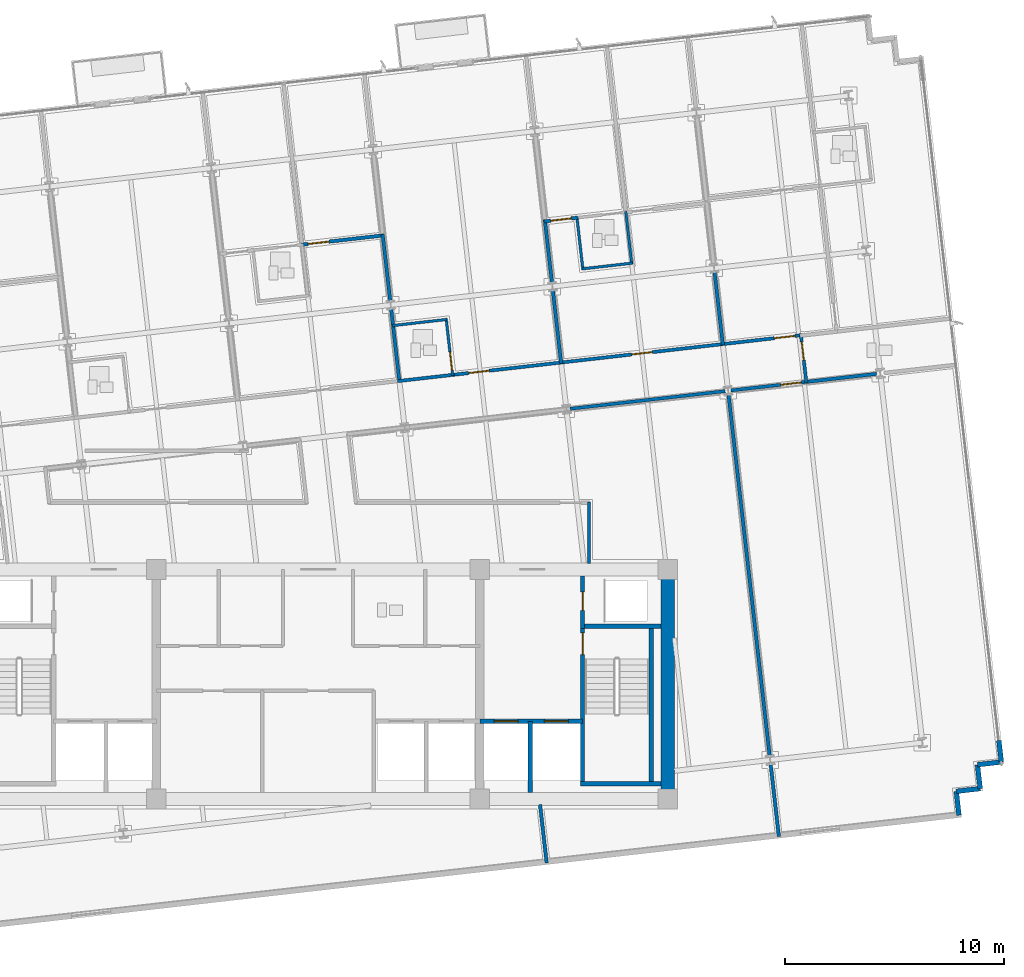
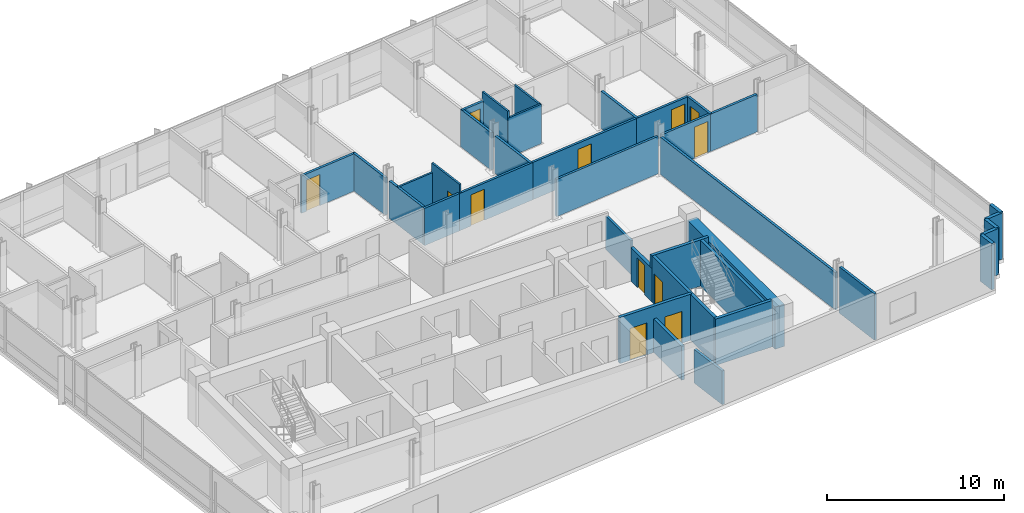
# One storey, part 10 of 17: 37 walls, 12 doors, 12 openings.
"""IFC4 building model written with IfcOpenShell, lengths in metres."""

import ifcopenshell
import ifcopenshell.guid

model = None  # the IFC model being written
_history = None  # IfcOwnerHistory: only IFC2X3 demands one
_inside = {}  # id of a spatial element -> (the spatial element, [elements in it])
_under = {}  # id of a project, library or spatial element -> (it, [spatial elements below it])
_declared = {}  # id of a project -> (the project, [libraries it declares])
_typed = {}  # id of a type object -> (the type object, [elements of that type])
_made_of = {}  # id of a material, layer set ... -> (it, [elements and type objects made of it])


def new_model(schema):
    """Start an empty IFC model of exactly this schema.

    Asked for "IFC4X3", IfcOpenShell would pick the latest addendum, in which some entities
    have other attributes; the version numbers below select the first issue.
    IFC2X3 requires an IfcOwnerHistory on every rooted entity: one is made here for all.
    """
    global model, _history
    if schema == "IFC4X3":
        model = ifcopenshell.file(schema_version=(4, 3, 0, 0))
    else:
        model = ifcopenshell.file(schema=schema)
    _inside.clear()
    _under.clear()
    _declared.clear()
    _typed.clear()
    _made_of.clear()
    _history = None
    if model.schema == "IFC2X3":
        org = make("IfcOrganization", Name="unknown")
        user = make(
            "IfcPersonAndOrganization",
            ThePerson=make("IfcPerson", FamilyName="unknown"),
            TheOrganization=org,
        )
        app = make(
            "IfcApplication",
            ApplicationDeveloper=org,
            Version="unknown",
            ApplicationFullName="unknown",
            ApplicationIdentifier="unknown",
        )
        _history = make(
            "IfcOwnerHistory",
            OwningUser=user,
            OwningApplication=app,
            ChangeAction="ADDED",
            CreationDate=0,
        )
    return model


def make(cls, **values):
    """One entity of the class cls with the attributes given. An attribute that is None is left unset."""
    return model.create_entity(
        cls, **{name: value for name, value in values.items() if value is not None}
    )


def rooted(cls, **values):
    """An entity with a GlobalId (a new one), such as an element, a storey or a relation."""
    return make(cls, GlobalId=ifcopenshell.guid.new(), OwnerHistory=_history, **values)


def si_unit(unit_type, name, prefix=None):
    """IfcSIUnit, for example si_unit("LENGTHUNIT", "METRE", prefix="MILLI")."""
    return make("IfcSIUnit", UnitType=unit_type, Prefix=prefix, Name=name)


def assignment(units):
    """IfcUnitAssignment: the units of a project."""
    return None if units is None else make("IfcUnitAssignment", Units=units)


def point(xyz):
    """IfcCartesianPoint."""
    return None if xyz is None else make("IfcCartesianPoint", Coordinates=xyz)


def direction(xyz):
    """IfcDirection."""
    return None if xyz is None else make("IfcDirection", DirectionRatios=xyz)


def frame(location, z_axis=None, x_axis=None):
    """IfcAxis2Placement3D, a coordinate frame: its origin and axes. An axis left out is left unset."""
    return make(
        "IfcAxis2Placement3D",
        Location=point(location),
        Axis=direction(z_axis),
        RefDirection=direction(x_axis),
    )


def frame_2d(location, x_axis=None):
    """IfcAxis2Placement2D, a coordinate frame in the plane: its origin and x axis."""
    return make(
        "IfcAxis2Placement2D", Location=point(location), RefDirection=direction(x_axis)
    )


def origin():
    """The frame at (0, 0, 0) with its axes left unset."""
    return frame((0.0, 0.0, 0.0))


def place(relative_to, where):
    """IfcLocalPlacement: puts the frame where relative to a parent placement (None: the world)."""
    return make(
        "IfcLocalPlacement", PlacementRelTo=relative_to, RelativePlacement=where
    )


def context(
    kind, dimensions, precision=None, world=None, true_north=None, identifier=None
):
    """IfcGeometricRepresentationContext, for example the 3D "Model" context."""
    return make(
        "IfcGeometricRepresentationContext",
        ContextIdentifier=identifier,
        ContextType=kind,
        CoordinateSpaceDimension=dimensions,
        Precision=precision,
        WorldCoordinateSystem=world,
        TrueNorth=true_north,
    )


def subcontext(parent, identifier, kind, view, scale=None):
    """IfcGeometricRepresentationSubContext, for example "Body" below "Model"."""
    return make(
        "IfcGeometricRepresentationSubContext",
        ContextIdentifier=identifier,
        ContextType=kind,
        ParentContext=parent,
        TargetScale=scale,
        TargetView=view,
    )


def project(units=None, contexts=None):
    """IfcProject with its units and contexts."""
    return rooted(
        "IfcProject",
        Name="project",
        RepresentationContexts=contexts,
        UnitsInContext=assignment(units),
    )


def spatial(cls, under=None, at=None, **own):
    """A site, building, storey or space (cls), placed at a placement, below another one or the project."""
    s = rooted(cls, ObjectPlacement=at, **own)
    if under is not None:
        _under.setdefault(under.id(), (under, []))[1].append(s)
    return s


def profile(cls, at=None, kind="AREA", **sizes):
    """A parametric profile (cls). Its sizes go by their IFC names, for example OverallWidth=200.0."""
    return make(cls, ProfileType=kind, Position=at, **sizes)


def rectangle(**sizes):
    """IfcRectangleProfileDef."""
    return profile("IfcRectangleProfileDef", **sizes)


def extrude(swept, where, along, depth):
    """IfcExtrudedAreaSolid: the profile swept, set in the frame where, extruded along a direction by depth."""
    return make(
        "IfcExtrudedAreaSolid",
        SweptArea=swept,
        Position=where,
        ExtrudedDirection=direction(along),
        Depth=depth,
    )


def shape(context_of_items, identifier, shape_type, items):
    """IfcShapeRepresentation: the items that make up one representation, for example the "Body"."""
    return make(
        "IfcShapeRepresentation",
        ContextOfItems=context_of_items,
        RepresentationIdentifier=identifier,
        RepresentationType=shape_type,
        Items=items,
    )


def material(Name=None, Category=None):
    """IfcMaterial."""
    return make("IfcMaterial", Name=Name, Category=Category)


def layer(
    of_material, thickness, ventilated=None, Name=None, Category=None, Priority=None
):
    """IfcMaterialLayer: one layer of a wall or slab, of a material (None: an air gap)."""
    return make(
        "IfcMaterialLayer",
        Material=of_material,
        LayerThickness=thickness,
        IsVentilated=ventilated,
        Name=Name,
        Category=Category,
        Priority=Priority,
    )


def layer_set(layers, Name=None):
    """IfcMaterialLayerSet."""
    return make("IfcMaterialLayerSet", MaterialLayers=layers, LayerSetName=Name)


def made_of(thing, what):
    """Note that an element or type object is made of a material, layer set ...; save() writes the relation."""
    if what is not None:
        _made_of.setdefault(what.id(), (what, []))[1].append(thing)
    return thing


def type_object(cls, material=None, **own):
    """A type object (cls), such as IfcWallType, which elements share."""
    return made_of(rooted(cls, **own), material)


def element(
    cls,
    number,
    at=None,
    inside=None,
    cuts=None,
    type_object=None,
    material=None,
    context=None,
    identifier="Body",
    shape_type=None,
    held_by="IfcProductDefinitionShape",
    body=None,
    shapes=None,
    **own,
):
    """One element of the class cls, such as IfcWall. Its Tag is "e" and its number.

    at: its placement. inside: the storey or other place that contains it. cuts: it is an
    opening in that element (IfcRelVoidsElement). A single representation is given by context,
    identifier, shape_type and body (its items); several are given by shapes. held_by: the class
    of the entity that holds the representations. save() writes the other relations.
    """
    e = rooted(cls, Tag="e%d" % number, ObjectPlacement=at, **own)
    if body is not None:
        shapes = [shape(context, identifier, shape_type, body)]
    if shapes is not None:
        e.Representation = make(held_by, Representations=shapes)
    if inside is not None:
        _inside.setdefault(inside.id(), (inside, []))[1].append(e)
    if cuts is not None:
        rooted(
            "IfcRelVoidsElement", RelatingBuildingElement=cuts, RelatedOpeningElement=e
        )
    if type_object is not None:
        _typed.setdefault(type_object.id(), (type_object, []))[1].append(e)
    return made_of(e, material)


def fill(opening, filler):
    """IfcRelFillsElement: the door or window that sits in an opening."""
    return rooted(
        "IfcRelFillsElement",
        RelatingOpeningElement=opening,
        RelatedBuildingElement=filler,
    )


def aggregate(whole, parts):
    """IfcRelAggregates: a whole, such as a stair, and the parts it consists of."""
    return rooted("IfcRelAggregates", RelatingObject=whole, RelatedObjects=parts)


def save(model, path):
    """Write the relations noted so far, then the file.

    IfcRelAggregates (storeys below a building ...), IfcRelContainedInSpatialStructure (elements
    in a storey), IfcRelDefinesByType, IfcRelAssociatesMaterial and IfcRelDeclares: one each for
    every whole, place, type object, material and project.
    """
    for whole, parts in _under.values():
        aggregate(whole, parts)
    for where, things in _inside.values():
        rooted(
            "IfcRelContainedInSpatialStructure",
            RelatedElements=things,
            RelatingStructure=where,
        )
    for kind, things in _typed.values():
        rooted("IfcRelDefinesByType", RelatedObjects=things, RelatingType=kind)
    for what, things in _made_of.values():
        rooted("IfcRelAssociatesMaterial", RelatedObjects=things, RelatingMaterial=what)
    for by, libraries in _declared.values():
        rooted("IfcRelDeclares", RelatingContext=by, RelatedDefinitions=libraries)
    model.write(path)


model = new_model("IFC4")

# Units and contexts
model_context = context("Model", 3, precision=1e-05, world=origin(), true_north=direction((0.0, 1.0)))
body_context = subcontext(model_context, "Body", "Model", "MODEL_VIEW")
ifc_project = project(units=[si_unit("LENGTHUNIT", "METRE"), si_unit("AREAUNIT", "SQUARE_METRE"), si_unit("VOLUMEUNIT", "CUBIC_METRE"), si_unit("PLANEANGLEUNIT", "RADIAN"), si_unit("MASSUNIT", "GRAM", prefix="KILO")], contexts=[model_context])

# Site, building, storey
site_placement = place(None, origin())
site = spatial("IfcSite", under=ifc_project, at=site_placement, CompositionType="ELEMENT")
building_placement = place(site_placement, origin())
building = spatial("IfcBuilding", under=site, at=building_placement, Name="Solmavex Isthmus Hotel", CompositionType="ELEMENT")
storey_placement = place(building_placement, frame((0.0, 0.0, 198.60009765625)))
storey = spatial("IfcBuildingStorey", under=building, at=storey_placement, Name="L53", CompositionType="ELEMENT", Elevation=198.60009765625)

# Walls
ifc_material_1 = material(Name="Precast Concrete C40/50", Category="concrete")
ifc_layer_1 = layer(ifc_material_1, 0.25)
ifc_layer_set_1 = layer_set([ifc_layer_1], Name="Precast Concrete C40/50")
wall_type_1 = type_object("IfcWallType", Name="EW-TWR-250", PredefinedType="STANDARD", material=ifc_layer_set_1)
wall_1_placement = place(storey_placement, frame((31.1474609375, -10.328125, 0.0), z_axis=(0.0, 0.0, 1.0), x_axis=(0.113191877531, -0.993573147212, 0.0)))
element("IfcWall", 1, at=wall_1_placement, inside=storey, type_object=wall_type_1, Name="Serrated Corner Facade Panel L53-21", PredefinedType="STANDARD", context=body_context, shape_type="SweptSolid", body=[
    extrude(rectangle(XDim=0.989990234375, YDim=0.219970703125, at=frame_2d((0.4951171875, 0.0))), origin(), (0.0, 0.0, 1.0), 3.18994140625),
])
wall_2_placement = place(storey_placement, frame((31.259521484375, -11.311767578125, 0.0), z_axis=(0.0, 0.0, 1.0), x_axis=(-0.99357409499, -0.113183557839, 0.0)))
element("IfcWall", 2, at=wall_2_placement, inside=storey, type_object=wall_type_1, Name="Serrated Corner Facade Panel L53-22", PredefinedType="STANDARD", context=body_context, shape_type="SweptSolid", body=[
    extrude(rectangle(XDim=1.10009765625, YDim=0.219970703125, at=frame_2d((0.550048828125, 0.0))), origin(), (0.0, 0.0, 1.0), 3.18994140625),
])
wall_3_placement = place(storey_placement, frame((30.16650390625, -11.436279296875, 0.0), z_axis=(0.0, 0.0, 1.0), x_axis=(0.113427644885, -0.993546259303, 0.0)))
element("IfcWall", 3, at=wall_3_placement, inside=storey, type_object=wall_type_1, Name="Serrated Corner Facade Panel L53-23", PredefinedType="STANDARD", context=body_context, shape_type="SweptSolid", body=[
    extrude(rectangle(XDim=1.099853515625, YDim=0.219970703125, at=frame_2d((0.5498046875, 0.0))), origin(), (0.0, 0.0, 1.0), 3.18994140625),
])
for number, where, z_axis, x_axis, name in (
    (4, (30.291259765625, -12.529052734375, 0.0), (0.0, 0.0, 1.0), (-0.99357409499, -0.113183557839, 0.0), "Serrated Corner Facade Panel L53-24"),
    (5, (29.1982421875, -12.653564453125, 0.0), (0.0, 0.0, 1.0), (0.113183557839, -0.99357409499, 0.0), "Serrated Corner Facade Panel L53-25"),
):
    element("IfcWall", number, at=place(storey_placement, frame(where, z_axis=z_axis, x_axis=x_axis)), inside=storey, type_object=wall_type_1, Name=name, PredefinedType="STANDARD", context=body_context, shape_type="SweptSolid", body=[
        extrude(rectangle(XDim=1.10009765625, YDim=0.219970703125, at=frame_2d((0.550048828125, 0.0))), origin(), (0.0, 0.0, 1.0), 3.18994140625),
    ])

# Wall, opening, door
ifc_material_2 = material(Name="Gypsum plasterboard lining", Category="gypsum")
ifc_layer_2 = layer(ifc_material_2, 0.159912109375)
ifc_layer_set_2 = layer_set([ifc_layer_2], Name="Gypsum plasterboard lining")
wall_type_2 = type_object("IfcWallType", Name="IW-COMP-160", PredefinedType="PARTITIONING", material=ifc_layer_set_2)
wall_4_placement = place(storey_placement, frame((-0.778076171875, 12.3515625, 0.0), z_axis=(0.0, 0.0, 1.0), x_axis=(0.993567388358, 0.113242416041, 0.0)))
wall_4 = element("IfcWall", 6, at=wall_4_placement, inside=storey, type_object=wall_type_2, Name="Interior Partition Wall W-L53-P044", PredefinedType="PARTITIONING", context=body_context, shape_type="SweptSolid", body=[
    extrude(rectangle(XDim=3.802978515625, YDim=0.159912109375, at=frame_2d((1.9013671875, 0.0))), origin(), (0.0, 0.0, 1.0), 2.572265625),
])
opening_1_placement = place(wall_4_placement, frame((0.331787109375, 0.0, 0.0)))
opening_1 = element("IfcOpeningElement", 7, at=opening_1_placement, cuts=wall_4, Name="Opening ID-C095", PredefinedType="OPENING", context=body_context, shape_type="SweptSolid", body=[
    extrude(rectangle(XDim=0.949951171875, YDim=2.14990234375, at=frame_2d((0.47509765625, 1.074951171875))), frame((0.0, 0.08984375, 0.0), z_axis=(0.0, -1.0, 0.0), x_axis=(1.0, 0.0, 0.0)), (0.0, 0.0, 1.0), 0.179931640625),
])
ifc_material_3 = material(Name="Hardwood timber", Category="wood")
door_type_1 = type_object("IfcDoorType", Name="IDR-FD60-0950", OperationType="NOTDEFINED", PredefinedType="DOOR", material=ifc_material_3)
door_1_placement = place(opening_1_placement, origin())
door_1 = element("IfcDoor", 8, at=door_1_placement, inside=storey, type_object=door_type_1, Name="Diplomatic Hospitality Suite Sitting Lounge Door L53-09", OperationType="SINGLE_SWING_LEFT", OverallHeight=2.14990234375, OverallWidth=0.949951171875, PredefinedType="DOOR", context=body_context, shape_type="SweptSolid", body=[
    extrude(rectangle(XDim=0.949951171875, YDim=2.14990234375, at=frame_2d((0.47509765625, 1.074951171875))), frame((0.0, 0.02490234375, 0.0), z_axis=(0.0, -1.0, 0.0), x_axis=(1.0, 0.0, 0.0)), (0.0, 0.0, 1.0), 0.050048828125),
])
fill(opening_1, door_1)

# Walls
wall_5_placement = place(storey_placement, frame((2.9560546875, 12.8173828125, 0.0), z_axis=(0.0, 0.0, 1.0), x_axis=(0.113238680134, -0.993567814153, 0.0)))
element("IfcWall", 9, at=wall_5_placement, inside=storey, type_object=wall_type_2, Name="Interior Partition Wall W-L53-P048", PredefinedType="PARTITIONING", context=body_context, shape_type="SweptSolid", body=[
    extrude(rectangle(XDim=3.063720703125, YDim=0.159912109375, at=frame_2d((1.53173828125, 0.0))), origin(), (0.0, 0.0, 1.0), 2.572265625),
])
wall_6_placement = place(storey_placement, frame((3.3427734375, 9.4228515625, 0.0), z_axis=(0.0, 0.0, 1.0), x_axis=(0.113229088195, -0.993568907317, 0.0)))
element("IfcWall", 10, at=wall_6_placement, inside=storey, type_object=wall_type_2, Name="Interior Partition Wall W-L53-P049", PredefinedType="PARTITIONING", context=body_context, shape_type="SweptSolid", body=[
    extrude(rectangle(XDim=3.361572265625, YDim=0.159912109375, at=frame_2d((1.6806640625, 0.0))), origin(), (0.0, 0.0, 1.0), 2.572265625),
])
wall_7_placement = place(storey_placement, frame((10.3720703125, 13.503173828125, 0.0), z_axis=(0.0, 0.0, 1.0), x_axis=(0.113271679876, -0.993564052559, 0.0)))
element("IfcWall", 11, at=wall_7_placement, inside=storey, type_object=wall_type_2, Name="Interior Partition Wall W-L53-P056", PredefinedType="PARTITIONING", context=body_context, shape_type="SweptSolid", body=[
    extrude(rectangle(XDim=2.905517578125, YDim=0.159912109375, at=frame_2d((1.45263671875, 0.0))), origin(), (0.0, 0.0, 1.0), 2.572265625),
])
wall_8_placement = place(storey_placement, frame((10.740966796875, 10.265869140625, 0.0), z_axis=(0.0, 0.0, 1.0), x_axis=(0.113220917918, -0.993569838384, 0.0)))
element("IfcWall", 12, at=wall_8_placement, inside=storey, type_object=wall_type_2, Name="Interior Partition Wall W-L53-P057", PredefinedType="PARTITIONING", context=body_context, shape_type="SweptSolid", body=[
    extrude(rectangle(XDim=3.36181640625, YDim=0.159912109375, at=frame_2d((1.680908203125, 0.0))), origin(), (0.0, 0.0, 1.0), 2.572265625),
])

# Wall, opening, door
wall_9_placement = place(storey_placement, frame((10.341796875, 13.417236328125, 0.0), z_axis=(0.0, 0.0, 1.0), x_axis=(0.993573147212, 0.113191877531, 0.0)))
wall_9 = element("IfcWall", 13, at=wall_9_placement, inside=storey, type_object=wall_type_2, Name="Interior Partition Wall W-L53-P060", PredefinedType="PARTITIONING", context=body_context, shape_type="SweptSolid", body=[
    extrude(rectangle(XDim=1.552978515625, YDim=0.159912109375, at=frame_2d((0.7763671875, 0.0))), origin(), (0.0, 0.0, 1.0), 2.572265625),
])
opening_2_placement = place(wall_9_placement, frame((0.301513671875, 0.0, 0.0)))
opening_2 = element("IfcOpeningElement", 14, at=opening_2_placement, cuts=wall_9, Name="Opening ID-C095", PredefinedType="OPENING", context=body_context, shape_type="SweptSolid", body=[
    extrude(rectangle(XDim=0.949951171875, YDim=2.14990234375, at=frame_2d((0.47509765625, 1.074951171875))), frame((0.0, 0.08984375, 0.0), z_axis=(0.0, -1.0, 0.0), x_axis=(1.0, 0.0, 0.0)), (0.0, 0.0, 1.0), 0.179931640625),
])
door_2_placement = place(opening_2_placement, origin())
door_2 = element("IfcDoor", 15, at=door_2_placement, inside=storey, type_object=door_type_1, Name="Premier Suite Master Bedroom Door L53-14", OperationType="SINGLE_SWING_RIGHT", OverallHeight=2.14990234375, OverallWidth=0.949951171875, PredefinedType="DOOR", context=body_context, shape_type="SweptSolid", body=[
    extrude(rectangle(XDim=0.949951171875, YDim=2.14990234375, at=frame_2d((0.47509765625, 1.074951171875))), frame((0.0, 0.02490234375, 0.0), z_axis=(0.0, -1.0, 0.0), x_axis=(1.0, 0.0, 0.0)), (0.0, 0.0, 1.0), 0.050048828125),
])
fill(opening_2, door_2)

# Walls
wall_10_placement = place(storey_placement, frame((18.13916015625, 11.108642578125, 0.0), z_axis=(0.0, 0.0, 1.0), x_axis=(0.113229088195, -0.993568907317, 0.0)))
element("IfcWall", 16, at=wall_10_placement, inside=storey, type_object=wall_type_2, Name="Interior Partition Wall W-L53-P066", PredefinedType="PARTITIONING", context=body_context, shape_type="SweptSolid", body=[
    extrude(rectangle(XDim=3.361572265625, YDim=0.159912109375, at=frame_2d((1.6806640625, 0.0))), origin(), (0.0, 0.0, 1.0), 2.572265625),
])
wall_11_placement = place(storey_placement, frame((25.546142578125, 6.44580078125, 0.0), z_axis=(0.0, 0.0, 1.0), x_axis=(-0.993568592225, -0.113231853041, 0.0)))
element("IfcWall", 17, at=wall_11_placement, inside=storey, type_object=wall_type_2, Name="Interior Partition Wall W-L53-P082", PredefinedType="PARTITIONING", context=body_context, shape_type="SweptSolid", body=[
    extrude(rectangle(XDim=3.281494140625, YDim=0.159912109375, at=frame_2d((1.640625, 0.0))), origin(), (0.0, 0.0, 1.0), 2.572265625),
])
wall_12_placement = place(storey_placement, frame((10.154541015625, -13.26025390625, 0.0), z_axis=(0.0, 0.0, 1.0), x_axis=(0.113197562906, -0.993572499495, 0.0)))
element("IfcWall", 18, at=wall_12_placement, inside=storey, type_object=wall_type_2, Name="Interior Partition Wall W-L53-P085", PredefinedType="PARTITIONING", context=body_context, shape_type="SweptSolid", body=[
    extrude(rectangle(XDim=2.68310546875, YDim=0.159912109375, at=frame_2d((1.341552734375, 0.0))), origin(), (0.0, 0.0, 1.0), 2.324951171875),
])
wall_13_placement = place(storey_placement, frame((18.778564453125, 5.4970703125, 0.0), z_axis=(0.0, 0.0, 1.0), x_axis=(0.113202873157, -0.993571894484, 0.0)))
element("IfcWall", 19, at=wall_13_placement, inside=storey, type_object=wall_type_2, Name="Interior Partition Wall W-L53-P086", PredefinedType="PARTITIONING", context=body_context, shape_type="SweptSolid", body=[
    extrude(rectangle(XDim=16.647216796875, YDim=0.159912109375, at=frame_2d((8.32373046875, 0.0))), origin(), (0.0, 0.0, 1.0), 2.572265625),
])
wall_14_placement = place(storey_placement, frame((20.702880859375, -11.3935546875, 0.0), z_axis=(0.0, 0.0, 1.0), x_axis=(0.113243883011, -0.993567221158, 0.0)))
element("IfcWall", 20, at=wall_14_placement, inside=storey, type_object=wall_type_2, Name="Interior Partition Wall W-L53-P087", PredefinedType="PARTITIONING", context=body_context, shape_type="SweptSolid", body=[
    extrude(rectangle(XDim=3.34375, YDim=0.159912109375, at=frame_2d((1.671875, 0.0))), origin(), (0.0, 0.0, 1.0), 3.18994140625),
])

# Wall, opening, door
ifc_layer_3 = layer(ifc_material_2, 0.14990234375)
ifc_layer_set_3 = layer_set([ifc_layer_3], Name="Gypsum plasterboard lining")
wall_type_3 = type_object("IfcWallType", Name="IW-CORR-150", PredefinedType="PARTITIONING", material=ifc_layer_set_3)
wall_15_placement = place(storey_placement, frame((6.07177734375, 6.390625, 0.0), z_axis=(0.0, 0.0, 1.0), x_axis=(0.993569374626, 0.113224987546, 0.0)))
wall_15 = element("IfcWall", 21, at=wall_15_placement, inside=storey, type_object=wall_type_3, Name="Interior Partition Wall W-L53-P005", PredefinedType="PARTITIONING", context=body_context, shape_type="SweptSolid", body=[
    extrude(rectangle(XDim=5.159912109375, YDim=0.14990234375, at=frame_2d((2.580078125, 0.0))), origin(), (0.0, 0.0, 1.0), 2.572265625),
])
opening_3_placement = place(wall_15_placement, frame((0.82470703125, 0.0, 0.0)))
opening_3 = element("IfcOpeningElement", 22, at=opening_3_placement, cuts=wall_15, Name="Opening ID-C095", PredefinedType="OPENING", context=body_context, shape_type="SweptSolid", body=[
    extrude(rectangle(XDim=0.949951171875, YDim=2.14990234375, at=frame_2d((0.47509765625, 1.074951171875))), frame((0.0, 0.0849609375, 0.0), z_axis=(0.0, -1.0, 0.0), x_axis=(1.0, 0.0, 0.0)), (0.0, 0.0, 1.0), 0.169921875),
])
door_3_placement = place(opening_3_placement, origin())
door_3 = element("IfcDoor", 23, at=door_3_placement, inside=storey, type_object=door_type_1, Name="Ambassador Suite Door L53-11", OperationType="SINGLE_SWING_LEFT", OverallHeight=2.14990234375, OverallWidth=0.949951171875, PredefinedType="DOOR", context=body_context, shape_type="SweptSolid", body=[
    extrude(rectangle(XDim=0.949951171875, YDim=2.14990234375, at=frame_2d((0.47509765625, 1.074951171875))), frame((0.0, 0.02490234375, 0.0), z_axis=(0.0, -1.0, 0.0), x_axis=(1.0, 0.0, 0.0)), (0.0, 0.0, 1.0), 0.050048828125),
])
fill(opening_3, door_3)

# Wall
wall_16_placement = place(storey_placement, frame((3.637451171875, 6.11328125, 0.0), z_axis=(0.0, 0.0, 1.0), x_axis=(0.99356184061, 0.11329108034, 0.0)))
element("IfcWall", 24, at=wall_16_placement, inside=storey, type_object=wall_type_3, Name="Interior Partition Wall W-L53-P006", PredefinedType="PARTITIONING", context=body_context, shape_type="SweptSolid", body=[
    extrude(rectangle(XDim=2.614013671875, YDim=0.14990234375, at=frame_2d((1.30712890625, 0.0))), origin(), (0.0, 0.0, 1.0), 2.572265625),
])

# Wall, opening, door
wall_17_placement = place(storey_placement, frame((11.03564453125, 6.956298828125, 0.0), z_axis=(0.0, 0.0, 1.0), x_axis=(0.993570360949, 0.113216332056, 0.0)))
wall_17 = element("IfcWall", 25, at=wall_17_placement, inside=storey, type_object=wall_type_3, Name="Interior Partition Wall W-L53-P007", PredefinedType="PARTITIONING", context=body_context, shape_type="SweptSolid", body=[
    extrude(rectangle(XDim=7.60986328125, YDim=0.14990234375, at=frame_2d((3.804931640625, 0.0))), origin(), (0.0, 0.0, 1.0), 2.572265625),
])
opening_4_placement = place(wall_17_placement, frame((3.330078125, 0.0, 0.0)))
opening_4 = element("IfcOpeningElement", 26, at=opening_4_placement, cuts=wall_17, Name="Opening ID-C095", PredefinedType="OPENING", context=body_context, shape_type="SweptSolid", body=[
    extrude(rectangle(XDim=0.949951171875, YDim=2.14990234375, at=frame_2d((0.47509765625, 1.074951171875))), frame((0.0, 0.0849609375, 0.0), z_axis=(0.0, -1.0, 0.0), x_axis=(1.0, 0.0, 0.0)), (0.0, 0.0, 1.0), 0.169921875),
])
door_4_placement = place(opening_4_placement, origin())
door_4 = element("IfcDoor", 27, at=door_4_placement, inside=storey, type_object=door_type_1, Name="Premier Suite Living Salon Door L53-13", OperationType="SINGLE_SWING_LEFT", OverallHeight=2.14990234375, OverallWidth=0.949951171875, PredefinedType="DOOR", context=body_context, shape_type="SweptSolid", body=[
    extrude(rectangle(XDim=0.949951171875, YDim=2.14990234375, at=frame_2d((0.47509765625, 1.074951171875))), frame((0.0, 0.02490234375, 0.0), z_axis=(0.0, -1.0, 0.0), x_axis=(1.0, 0.0, 0.0)), (0.0, 0.0, 1.0), 0.050048828125),
])
fill(opening_4, door_4)

wall_18_placement = place(storey_placement, frame((18.43359375, 7.79931640625, 0.0), z_axis=(0.0, 0.0, 1.0), x_axis=(0.993578468541, 0.11314515832, 0.0)))
wall_18 = element("IfcWall", 28, at=wall_18_placement, inside=storey, type_object=wall_type_3, Name="Interior Partition Wall W-L53-P008", PredefinedType="PARTITIONING", context=body_context, shape_type="SweptSolid", body=[
    extrude(rectangle(XDim=3.72216796875, YDim=0.14990234375, at=frame_2d((1.861083984375, 0.0))), origin(), (0.0, 0.0, 1.0), 2.572265625),
])
opening_5_placement = place(wall_18_placement, frame((2.456787109375, 0.0, 0.0)))
opening_5 = element("IfcOpeningElement", 29, at=opening_5_placement, cuts=wall_18, Name="Opening ID-C095", PredefinedType="OPENING", context=body_context, shape_type="SweptSolid", body=[
    extrude(rectangle(XDim=0.949951171875, YDim=2.14990234375, at=frame_2d((0.47509765625, 1.074951171875))), frame((0.0, 0.0849609375, 0.0), z_axis=(0.0, -1.0, 0.0), x_axis=(1.0, 0.0, 0.0)), (0.0, 0.0, 1.0), 0.169921875),
])
door_5_placement = place(opening_5_placement, origin())
door_5 = element("IfcDoor", 30, at=door_5_placement, inside=storey, type_object=door_type_1, Name="Corner Suite Entrance Hall Door L53-17", OperationType="SINGLE_SWING_LEFT", OverallHeight=2.14990234375, OverallWidth=0.949951171875, PredefinedType="DOOR", context=body_context, shape_type="SweptSolid", body=[
    extrude(rectangle(XDim=0.949951171875, YDim=2.14990234375, at=frame_2d((0.47509765625, 1.074951171875))), frame((0.0, 0.02490234375, 0.0), z_axis=(0.0, -1.0, 0.0), x_axis=(1.0, 0.0, 0.0)), (0.0, 0.0, 1.0), 0.050048828125),
])
fill(opening_5, door_5)

wall_19_placement = place(storey_placement, frame((22.08984375, 8.23583984375, 0.0), z_axis=(0.0, 0.0, 1.0), x_axis=(0.113122854389, -0.993581008179, 0.0)))
wall_19 = element("IfcWall", 31, at=wall_19_placement, inside=storey, type_object=wall_type_3, Name="Interior Partition Wall W-L53-P010", PredefinedType="PARTITIONING", context=body_context, shape_type="SweptSolid", body=[
    extrude(rectangle(XDim=2.2099609375, YDim=0.14990234375, at=frame_2d((1.10498046875, 0.0))), origin(), (0.0, 0.0, 1.0), 2.572265625),
])
opening_6_placement = place(wall_19_placement, frame((0.322265625, 0.0, 0.0)))
opening_6 = element("IfcOpeningElement", 32, at=opening_6_placement, cuts=wall_19, Name="Opening ID-R085", PredefinedType="OPENING", context=body_context, shape_type="SweptSolid", body=[
    extrude(rectangle(XDim=0.85009765625, YDim=2.050048828125, at=frame_2d((0.425048828125, 1.02490234375))), frame((0.0, 0.0849609375, 0.0), z_axis=(0.0, -1.0, 0.0), x_axis=(1.0, 0.0, 0.0)), (0.0, 0.0, 1.0), 0.169921875),
])
ifc_material_4 = material(Name="Steel ASTM A500 Grade C", Category="steel")
door_type_2 = type_object("IfcDoorType", Name="IDR-FD60-0850", OperationType="NOTDEFINED", PredefinedType="DOOR", material=ifc_material_4)
door_6_placement = place(opening_6_placement, frame((0.85009765625, 0.0, 0.0), z_axis=(0.0, 0.0, 1.0), x_axis=(-1.0, 0.0, 0.0)))
door_6 = element("IfcDoor", 33, at=door_6_placement, inside=storey, type_object=door_type_2, Name="Public Restroom WC Door L53-22", OperationType="SINGLE_SWING_RIGHT", OverallHeight=2.050048828125, OverallWidth=0.85009765625, PredefinedType="DOOR", context=body_context, shape_type="SweptSolid", body=[
    extrude(rectangle(XDim=0.85009765625, YDim=2.050048828125, at=frame_2d((0.425048828125, 1.02490234375))), frame((0.0, 0.02490234375, 0.0), z_axis=(0.0, -1.0, 0.0), x_axis=(1.0, 0.0, 0.0)), (0.0, 0.0, 1.0), 0.050048828125),
])
fill(opening_6, door_6)

# Walls
wall_20_placement = place(storey_placement, frame((12.39990234375, 0.590087890625, 0.0), z_axis=(0.0, 0.0, 1.0), x_axis=(0.0, -1.0, 0.0)))
element("IfcWall", 34, at=wall_20_placement, inside=storey, type_object=wall_type_3, Name="Interior Partition Wall W-L53-P021", PredefinedType="PARTITIONING", context=body_context, shape_type="SweptSolid", body=[
    extrude(rectangle(XDim=2.830078125, YDim=0.14990234375, at=frame_2d((1.4150390625, 0.0))), origin(), (0.0, 0.0, 1.0), 2.324951171875),
])
wall_21_placement = place(storey_placement, frame((18.625, 5.6572265625, 0.0), z_axis=(0.0, 0.0, 1.0), x_axis=(-0.993569785772, -0.11322137961, 0.0)))
element("IfcWall", 35, at=wall_21_placement, inside=storey, type_object=wall_type_3, Name="Interior Partition Wall W-L53-P023", PredefinedType="PARTITIONING", context=body_context, shape_type="SweptSolid", body=[
    extrude(rectangle(XDim=7.13525390625, YDim=0.14990234375, at=frame_2d((3.567626953125, 0.0))), origin(), (0.0, 0.0, 1.0), 2.572265625),
])

# Wall, opening, door
wall_22_placement = place(storey_placement, frame((22.375244140625, 6.08447265625, 0.0), z_axis=(0.0, 0.0, 1.0), x_axis=(-0.993568982909, -0.113228424882, 0.0)))
wall_22 = element("IfcWall", 36, at=wall_22_placement, inside=storey, type_object=wall_type_3, Name="Interior Partition Wall W-L53-P024", PredefinedType="PARTITIONING", context=body_context, shape_type="SweptSolid", body=[
    extrude(rectangle(XDim=3.505859375, YDim=0.14990234375, at=frame_2d((1.7529296875, 0.0))), origin(), (0.0, 0.0, 1.0), 2.572265625),
])
opening_7_placement = place(wall_22_placement, frame((0.270751953125, 0.0, 0.0)))
opening_7 = element("IfcOpeningElement", 37, at=opening_7_placement, cuts=wall_22, Name="Opening ID-C095", PredefinedType="OPENING", context=body_context, shape_type="SweptSolid", body=[
    extrude(rectangle(XDim=0.949951171875, YDim=2.14990234375, at=frame_2d((0.47509765625, 1.074951171875))), frame((0.0, 0.0849609375, 0.0), z_axis=(0.0, -1.0, 0.0), x_axis=(1.0, 0.0, 0.0)), (0.0, 0.0, 1.0), 0.169921875),
])
door_7_placement = place(opening_7_placement, origin())
door_7 = element("IfcDoor", 38, at=door_7_placement, inside=storey, type_object=door_type_1, Name="Corporate Briefing Office Door L53-27", OperationType="SINGLE_SWING_LEFT", OverallHeight=2.14990234375, OverallWidth=0.949951171875, PredefinedType="DOOR", context=body_context, shape_type="SweptSolid", body=[
    extrude(rectangle(XDim=0.949951171875, YDim=2.14990234375, at=frame_2d((0.47509765625, 1.074951171875))), frame((0.0, 0.02490234375, 0.0), z_axis=(0.0, -1.0, 0.0), x_axis=(1.0, 0.0, 0.0)), (0.0, 0.0, 1.0), 0.050048828125),
])
fill(opening_7, door_7)

ifc_layer_4 = layer(ifc_material_2, 0.1201171875)
ifc_layer_set_4 = layer_set([ifc_layer_4], Name="Gypsum plasterboard lining")
wall_type_4 = type_object("IfcWallType", Name="IW-PART-120", PredefinedType="PARTITIONING", material=ifc_layer_set_4)
wall_23_placement = place(storey_placement, frame((6.15771484375, 6.3603515625, 0.0), z_axis=(0.0, 0.0, 1.0), x_axis=(-0.113253358145, 0.993566141165, 0.0)))
wall_23 = element("IfcWall", 39, at=wall_23_placement, inside=storey, type_object=wall_type_4, Name="Interior Partition Wall W-L53-P054", PredefinedType="PARTITIONING", context=body_context, shape_type="SweptSolid", body=[
    extrude(rectangle(XDim=2.6298828125, YDim=0.1201171875, at=frame_2d((1.31494140625, 0.0))), origin(), (0.0, 0.0, 1.0), 3.18994140625),
])
opening_8_placement = place(wall_23_placement, frame((0.247314453125, 0.0, 0.0)))
opening_8 = element("IfcOpeningElement", 40, at=opening_8_placement, cuts=wall_23, Name="Opening ID-U085", PredefinedType="OPENING", context=body_context, shape_type="SweptSolid", body=[
    extrude(rectangle(XDim=0.85009765625, YDim=2.10009765625, at=frame_2d((0.425048828125, 1.050048828125))), frame((0.0, 0.070068359375, 0.0), z_axis=(0.0, -1.0, 0.0), x_axis=(1.0, 0.0, 0.0)), (0.0, 0.0, 1.0), 0.14013671875),
])
door_type_3 = type_object("IfcDoorType", Name="IDR-UNR-0850", OperationType="NOTDEFINED", PredefinedType="DOOR", material=ifc_material_3)
door_8_placement = place(opening_8_placement, frame((0.85009765625, 0.0, 0.0), z_axis=(0.0, 0.0, 1.0), x_axis=(-1.0, 0.0, 0.0)))
door_8 = element("IfcDoor", 41, at=door_8_placement, inside=storey, type_object=door_type_3, Name="En-suite Bathroom Door L53-12", OperationType="SINGLE_SWING_RIGHT", OverallHeight=2.10009765625, OverallWidth=0.85009765625, PredefinedType="DOOR", context=body_context, shape_type="SweptSolid", body=[
    extrude(rectangle(XDim=0.85009765625, YDim=2.10009765625, at=frame_2d((0.425048828125, 1.050048828125))), frame((0.0, 0.02490234375, 0.0), z_axis=(0.0, -1.0, 0.0), x_axis=(1.0, 0.0, 0.0)), (0.0, 0.0, 1.0), 0.050048828125),
])
fill(opening_8, door_8)

# Walls
wall_24_placement = place(storey_placement, frame((5.904296875, 8.938232421875, 0.0), z_axis=(0.0, 0.0, 1.0), x_axis=(-0.993573971379, -0.113184642947, 0.0)))
element("IfcWall", 42, at=wall_24_placement, inside=storey, type_object=wall_type_4, Name="Interior Partition Wall W-L53-P055", PredefinedType="PARTITIONING", context=body_context, shape_type="SweptSolid", body=[
    extrude(rectangle(XDim=2.5302734375, YDim=0.1201171875, at=frame_2d((1.26513671875, 0.0))), origin(), (0.0, 0.0, 1.0), 2.572265625),
])
wall_25_placement = place(storey_placement, frame((11.84033203125, 13.62841796875, 0.0), z_axis=(0.0, 0.0, 1.0), x_axis=(0.11322075119, -0.993569857383, 0.0)))
element("IfcWall", 43, at=wall_25_placement, inside=storey, type_object=wall_type_4, Name="Interior Partition Wall W-L53-P062", PredefinedType="PARTITIONING", context=body_context, shape_type="SweptSolid", body=[
    extrude(rectangle(XDim=2.43017578125, YDim=0.1201171875, at=frame_2d((1.215087890625, 0.0))), origin(), (0.0, 0.0, 1.0), 3.18994140625),
])
wall_26_placement = place(storey_placement, frame((12.0712890625, 11.249267578125, 0.0), z_axis=(0.0, 0.0, 1.0), x_axis=(0.99357583204, 0.113168308226, 0.0)))
element("IfcWall", 44, at=wall_26_placement, inside=storey, type_object=wall_type_4, Name="Interior Partition Wall W-L53-P063", PredefinedType="PARTITIONING", context=body_context, shape_type="SweptSolid", body=[
    extrude(rectangle(XDim=2.329833984375, YDim=0.1201171875, at=frame_2d((1.1650390625, 0.0))), origin(), (0.0, 0.0, 1.0), 2.718017578125),
])
wall_27_placement = place(storey_placement, frame((14.35107421875, 11.46875, 0.0), z_axis=(0.0, 0.0, 1.0), x_axis=(-0.113232053563, 0.993568569373, 0.0)))
element("IfcWall", 45, at=wall_27_placement, inside=storey, type_object=wall_type_4, Name="Interior Partition Wall W-L53-P064", PredefinedType="PARTITIONING", context=body_context, shape_type="SweptSolid", body=[
    extrude(rectangle(XDim=2.429931640625, YDim=0.1201171875, at=frame_2d((1.21484375, 0.0))), origin(), (0.0, 0.0, 1.0), 2.718017578125),
])

# Wall, opening, door
ifc_material_5 = material(Name="Concrete C40/50", Category="concrete")
ifc_layer_5 = layer(ifc_material_5, 0.199951171875)
ifc_layer_set_5 = layer_set([ifc_layer_5], Name="Concrete C40/50")
wall_type_5 = type_object("IfcWallType", Name="IW-SHAFT-200", PredefinedType="PARTITIONING", material=ifc_layer_set_5)
wall_28_placement = place(storey_placement, frame((12.10009765625, -5.199951171875, 0.0), z_axis=(0.0, 0.0, 1.0), x_axis=(0.0, 1.0, 0.0)))
wall_28 = element("IfcWall", 46, at=wall_28_placement, inside=storey, type_object=wall_type_5, Name="Interior Partition Wall W-L53-RSE-W", PredefinedType="PARTITIONING", context=body_context, shape_type="SweptSolid", body=[
    extrude(rectangle(XDim=2.39990234375, YDim=0.199951171875, at=frame_2d((1.199951171875, 0.0))), origin(), (0.0, 0.0, 1.0), 2.324951171875),
])
opening_9_placement = place(wall_28_placement, frame((0.824951171875, 0.0, 0.0)))
opening_9 = element("IfcOpeningElement", 47, at=opening_9_placement, cuts=wall_28, Name="Opening ID-R085", PredefinedType="OPENING", context=body_context, shape_type="SweptSolid", body=[
    extrude(rectangle(XDim=0.85009765625, YDim=2.050048828125, at=frame_2d((0.425048828125, 1.02490234375))), frame((0.0, 0.10986328125, 0.0), z_axis=(0.0, -1.0, 0.0), x_axis=(1.0, 0.0, 0.0)), (0.0, 0.0, 1.0), 0.219970703125),
])
door_9_placement = place(opening_9_placement, frame((0.85009765625, 0.0, 0.0), z_axis=(0.0, 0.0, 1.0), x_axis=(-1.0, 0.0, 0.0)))
door_9 = element("IfcDoor", 48, at=door_9_placement, inside=storey, type_object=door_type_2, Name="Mechanical Riser Door L53", OperationType="SINGLE_SWING_LEFT", OverallHeight=2.050048828125, OverallWidth=0.85009765625, PredefinedType="DOOR", context=body_context, shape_type="SweptSolid", body=[
    extrude(rectangle(XDim=0.85009765625, YDim=2.050048828125, at=frame_2d((0.425048828125, 1.02490234375))), frame((0.0, 0.02490234375, 0.0), z_axis=(0.0, -1.0, 0.0), x_axis=(1.0, 0.0, 0.0)), (0.0, 0.0, 1.0), 0.050048828125),
])
fill(opening_9, door_9)

# Wall, openings, doors
wall_29_placement = place(storey_placement, frame((7.39990234375, -9.449951171875, 0.0), z_axis=(0.0, 0.0, 1.0), x_axis=(1.0, 0.0, 0.0)))
wall_29 = element("IfcWall", 49, at=wall_29_placement, inside=storey, type_object=wall_type_5, Name="Interior Partition Wall W-L53-FFLE-S", PredefinedType="PARTITIONING", context=body_context, shape_type="SweptSolid", body=[
    extrude(rectangle(XDim=4.7001953125, YDim=0.199951171875, at=frame_2d((2.35009765625, 0.0))), origin(), (0.0, 0.0, 1.0), 3.18994140625),
])
opening_10_placement = place(wall_29_placement, frame((2.949951171875, 0.0, 0.0)))
opening_10 = element("IfcOpeningElement", 50, at=opening_10_placement, cuts=wall_29, Name="Opening LD-FF", PredefinedType="OPENING", context=body_context, shape_type="SweptSolid", body=[
    extrude(rectangle(XDim=1.10009765625, YDim=2.199951171875, at=frame_2d((0.550048828125, 1.10009765625))), frame((0.0, 0.10986328125, 0.0), z_axis=(0.0, -1.0, 0.0), x_axis=(1.0, 0.0, 0.0)), (0.0, 0.0, 1.0), 0.219970703125),
])
opening_11_placement = place(wall_29_placement, frame((0.64990234375, 0.0, 0.0)))
opening_11 = element("IfcOpeningElement", 51, at=opening_11_placement, cuts=wall_29, Name="Opening LD-SV", PredefinedType="OPENING", context=body_context, shape_type="SweptSolid", body=[
    extrude(rectangle(XDim=1.10009765625, YDim=2.199951171875, at=frame_2d((0.550048828125, 1.10009765625))), frame((0.0, 0.10986328125, 0.0), z_axis=(0.0, -1.0, 0.0), x_axis=(1.0, 0.0, 0.0)), (0.0, 0.0, 1.0), 0.219970703125),
])
ifc_material_6 = material(Name="Stainless steel 316", Category="steel")
door_type_4 = type_object("IfcDoorType", Name="LDR-FF-1100", OperationType="NOTDEFINED", PredefinedType="DOOR", material=ifc_material_6)
door_10_placement = place(opening_10_placement, origin())
door_10 = element("IfcDoor", 52, at=door_10_placement, inside=storey, type_object=door_type_4, Name="Lift Landing Door FFL-2 L53", OperationType="SLIDING_TO_LEFT", OverallHeight=2.199951171875, OverallWidth=1.10009765625, PredefinedType="DOOR", context=body_context, shape_type="SweptSolid", body=[
    extrude(rectangle(XDim=1.10009765625, YDim=2.199951171875, at=frame_2d((0.550048828125, 1.10009765625))), frame((0.0, 0.02490234375, 0.0), z_axis=(0.0, -1.0, 0.0), x_axis=(1.0, 0.0, 0.0)), (0.0, 0.0, 1.0), 0.050048828125),
])
fill(opening_10, door_10)
door_type_5 = type_object("IfcDoorType", Name="LDR-SV-1100", OperationType="NOTDEFINED", PredefinedType="DOOR", material=ifc_material_6)
door_11_placement = place(opening_11_placement, origin())
door_11 = element("IfcDoor", 53, at=door_11_placement, inside=storey, type_object=door_type_5, Name="Lift Landing Door SVL-2 L53", OperationType="SLIDING_TO_RIGHT", OverallHeight=2.199951171875, OverallWidth=1.10009765625, PredefinedType="DOOR", context=body_context, shape_type="SweptSolid", body=[
    extrude(rectangle(XDim=1.10009765625, YDim=2.199951171875, at=frame_2d((0.550048828125, 1.10009765625))), frame((0.0, 0.02490234375, 0.0), z_axis=(0.0, -1.0, 0.0), x_axis=(1.0, 0.0, 0.0)), (0.0, 0.0, 1.0), 0.050048828125),
])
fill(opening_11, door_11)

# Walls
wall_30_placement = place(storey_placement, frame((9.699951171875, -12.699951171875, 0.0), z_axis=(0.0, 0.0, 1.0), x_axis=(0.0, 1.0, 0.0)))
element("IfcWall", 54, at=wall_30_placement, inside=storey, type_object=wall_type_5, Name="Interior Partition Wall W-L53-FFLE-M", PredefinedType="PARTITIONING", context=body_context, shape_type="SweptSolid", body=[
    extrude(rectangle(XDim=3.25, YDim=0.199951171875, at=frame_2d((1.625, 0.0))), origin(), (0.0, 0.0, 1.0), 2.324951171875),
])
ifc_material_7 = material(Name="Concrete C50/60", Category="concrete")
ifc_layer_6 = layer(ifc_material_7, 0.60009765625)
ifc_layer_set_6 = layer_set([ifc_layer_6], Name="Concrete C50/60")
wall_type_6 = type_object("IfcWallType", Name="WALL-CW-600", PredefinedType="SHEAR", material=ifc_layer_set_6)
wall_31_placement = place(storey_placement, frame((16.0, -12.699951171875, 0.0), z_axis=(0.0, 0.0, 1.0), x_axis=(0.0, 1.0, 0.0)))
element("IfcWall", 55, at=wall_31_placement, inside=storey, type_object=wall_type_6, Name="Core Shear Wall East L53", PredefinedType="SHEAR", context=body_context, shape_type="SweptSolid", body=[
    extrude(rectangle(XDim=9.89990234375, YDim=0.60009765625, at=frame_2d((4.949951171875, 0.0))), origin(), (0.0, 0.0, 1.0), 2.909912109375),
])
ifc_layer_7 = layer(ifc_material_5, 0.199951171875)
ifc_layer_set_7 = layer_set([ifc_layer_7], Name="Concrete C40/50")
wall_type_7 = type_object("IfcWallType", Name="WALL-SW-200", PredefinedType="SOLIDWALL", material=ifc_layer_set_7)
for number, where, z_axis, x_axis, name in (
    (56, (12.0, -12.300048828125, 0.0), (0.0, 0.0, 1.0), (1.0, 0.0, 0.0), "Stairwell Structural Wall SW-L53-ST2-S"),
    (57, (12.0, -5.10009765625, 0.0), (0.0, 0.0, 1.0), (1.0, 0.0, 0.0), "Stairwell Structural Wall SW-L53-ST2-N"),
):
    element("IfcWall", number, at=place(storey_placement, frame(where, z_axis=z_axis, x_axis=x_axis)), inside=storey, type_object=wall_type_7, Name=name, PredefinedType="SOLIDWALL", context=body_context, shape_type="SweptSolid", body=[
        extrude(rectangle(XDim=3.699951171875, YDim=0.199951171875, at=frame_2d((1.85009765625, 0.0))), origin(), (0.0, 0.0, 1.0), 3.18994140625),
    ])

# Wall, opening, door
wall_32_placement = place(storey_placement, frame((12.10009765625, -12.199951171875, 0.0), z_axis=(0.0, 0.0, 1.0), x_axis=(0.0, 1.0, 0.0)))
wall_32 = element("IfcWall", 58, at=wall_32_placement, inside=storey, type_object=wall_type_7, Name="Stairwell Structural Wall SW-L53-ST2-W", PredefinedType="SOLIDWALL", context=body_context, shape_type="SweptSolid", body=[
    extrude(rectangle(XDim=7.0, YDim=0.199951171875, at=frame_2d((3.5, 0.0))), origin(), (0.0, 0.0, 1.0), 3.18994140625),
])
opening_12_placement = place(wall_32_placement, frame((5.800048828125, 0.0, 0.0)))
opening_12 = element("IfcOpeningElement", 59, at=opening_12_placement, cuts=wall_32, Name="Opening ID-F100", PredefinedType="OPENING", context=body_context, shape_type="SweptSolid", body=[
    extrude(rectangle(XDim=1.0, YDim=2.10009765625, at=frame_2d((0.5, 1.050048828125))), frame((0.0, 0.10986328125, 0.0), z_axis=(0.0, -1.0, 0.0), x_axis=(1.0, 0.0, 0.0)), (0.0, 0.0, 1.0), 0.219970703125),
])
door_type_6 = type_object("IfcDoorType", Name="IDR-FD90-1000", OperationType="NOTDEFINED", PredefinedType="DOOR", material=ifc_material_4)
door_12_placement = place(opening_12_placement, origin())
door_12 = element("IfcDoor", 60, at=door_12_placement, inside=storey, type_object=door_type_6, Name="Stair ST-2 Fire Door L53", OperationType="SINGLE_SWING_RIGHT", OverallHeight=2.10009765625, OverallWidth=1.0, PredefinedType="DOOR", context=body_context, shape_type="SweptSolid", body=[
    extrude(rectangle(XDim=1.0, YDim=2.10009765625, at=frame_2d((0.5, 1.050048828125))), frame((0.0, 0.02490234375, 0.0), z_axis=(0.0, -1.0, 0.0), x_axis=(1.0, 0.0, 0.0)), (0.0, 0.0, 1.0), 0.050048828125),
])
fill(opening_12, door_12)

# Wall
wall_33_placement = place(storey_placement, frame((15.25, -12.199951171875, 0.0), z_axis=(0.0, 0.0, 1.0), x_axis=(0.0, 1.0, 0.0)))
element("IfcWall", 61, at=wall_33_placement, inside=storey, type_object=wall_type_7, Name="Stairwell Structural Wall SW-L53-ST2-E", PredefinedType="SOLIDWALL", context=body_context, shape_type="SweptSolid", body=[
    extrude(rectangle(XDim=7.0, YDim=0.199951171875, at=frame_2d((3.5, 0.0))), origin(), (0.0, 0.0, 1.0), 3.18994140625),
])

save(model, "model.ifc")
